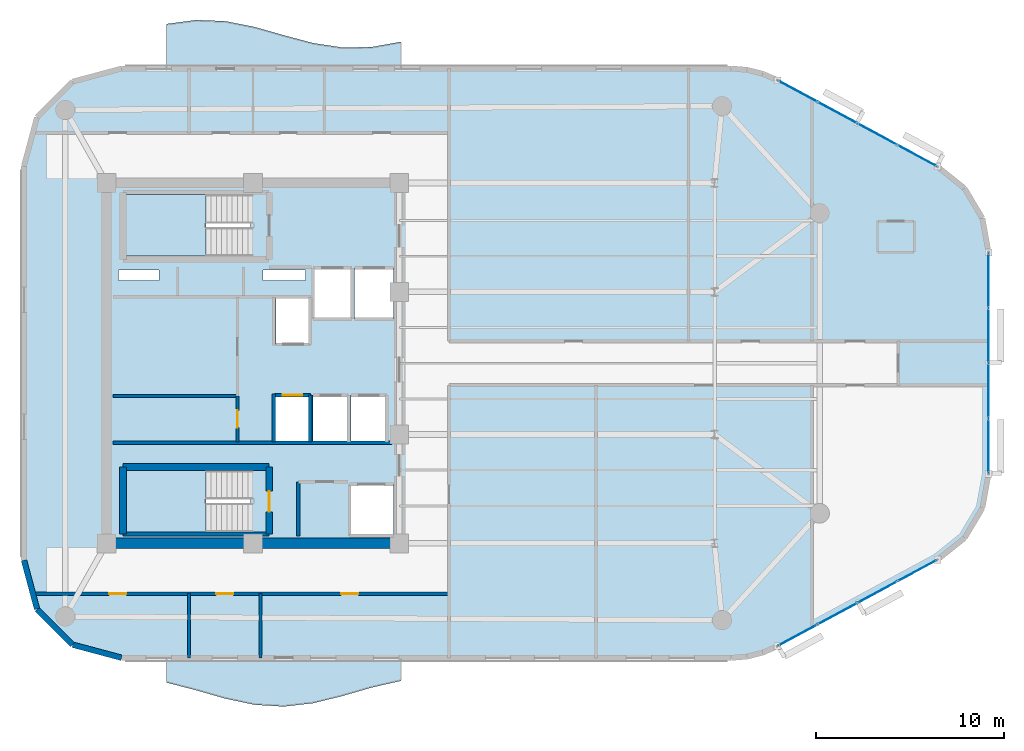
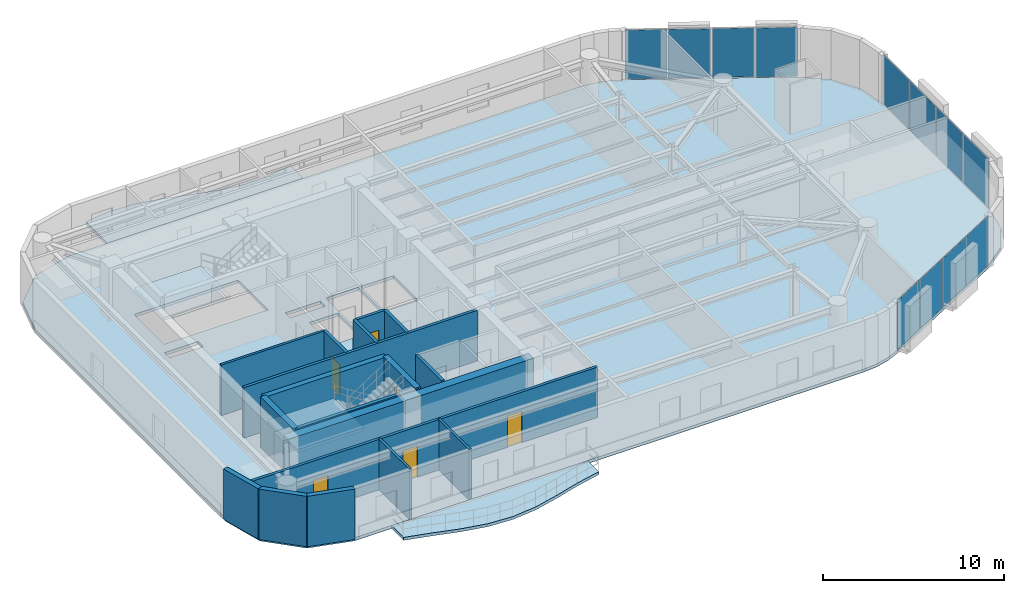
# One storey, part 8 of 13: 18 walls, 12 plates, 6 doors, 5 slabs, 6 openings, 5 elements without a shape of their own.
"""IFC4 building model written with IfcOpenShell, lengths in metres."""

from ifc_helpers import new_model, si_unit, direction, frame, frame_2d, origin, origin_2d, place, context, subcontext, project, spatial, polyline, rectangle, outline, extrude, material, layer, layer_set, type_object, element, fill, aggregate, save


model = new_model("IFC4")

# Units and contexts
model_context = context("Model", 3, precision=1e-05, world=origin(), true_north=direction((0.0, 1.0)))
body_context = subcontext(model_context, "Body", "Model", "MODEL_VIEW")
ifc_project = project(units=[si_unit("LENGTHUNIT", "METRE"), si_unit("AREAUNIT", "SQUARE_METRE"), si_unit("VOLUMEUNIT", "CUBIC_METRE"), si_unit("PLANEANGLEUNIT", "RADIAN"), si_unit("MASSUNIT", "GRAM", prefix="KILO")], contexts=[model_context])

# Site, building, storey
site_placement = place(None, origin())
site = spatial("IfcSite", under=ifc_project, at=site_placement, CompositionType="ELEMENT")
building_placement = place(site_placement, origin())
building = spatial("IfcBuilding", under=site, at=building_placement, Name="An Khanh Terracotta Commons", CompositionType="ELEMENT")
storey_placement = place(building_placement, frame((0.0, 0.0, 204.89990234375)))
storey = spatial("IfcBuildingStorey", under=building, at=storey_placement, Name="L53", CompositionType="ELEMENT", Elevation=204.89990234375)

# Curtain wall, plates
ifc_material_1 = material(Name="Anodised Aluminium 6063-T6", Category="aluminium")
ifc_layer_1 = layer(ifc_material_1, 0.2099609375, Name="Anodised Aluminium 6063-T6")
ifc_layer_set_1 = layer_set([ifc_layer_1], Name="Anodised Aluminium 6063-T6")
curtain_wall_type = type_object("IfcCurtainWallType", Name="CW-SYS-03", PredefinedType="USERDEFINED", material=ifc_layer_set_1)
curtain_wall_1_placement = place(storey_placement, origin())
curtain_wall_1 = element("IfcCurtainWall", 1, at=curtain_wall_1_placement, inside=storey, type_object=curtain_wall_type, Name="L53 CW-03 Unitised Curtain Wall CW-L53-08", ObjectType="UNITISED CURTAIN WALL", PredefinedType="USERDEFINED")
ifc_material_2 = material(Name="Acoustic Laminated Low-E Glazing", Category="glass")
ifc_layer_2 = layer(ifc_material_2, 0.035888671875, Name="Acoustic Laminated Low-E Glazing")
ifc_layer_set_2 = layer_set([ifc_layer_2], Name="Acoustic Laminated Low-E Glazing")
plate_type = type_object("IfcPlateType", Name="CWP-IGU-36", PredefinedType="CURTAIN_PANEL", material=ifc_layer_set_2)
plate_1_placement = place(storey_placement, frame((58.436767578125, 9.508544921875, 0.05029296875), z_axis=(0.0, 0.0, 1.0), x_axis=(0.879780095306, 0.47538088298, 0.0)))
plate_1 = element("IfcPlate", 2, at=plate_1_placement, type_object=plate_type, Name="CW-03 panel 1.1", PredefinedType="CURTAIN_PANEL", context=body_context, shape_type="SweptSolid", body=[
    extrude(rectangle(XDim=2.314697265625, YDim=0.035888671875, at=origin_2d()), origin(), (0.0, 0.0, 1.0), 3.300048828125),
])
plate_2_placement = place(storey_placement, frame((60.550048828125, 10.650390625, 0.05029296875), z_axis=(0.0, 0.0, 1.0), x_axis=(0.879780095306, 0.47538088298, 0.0)))
plate_2 = element("IfcPlate", 3, at=plate_2_placement, type_object=plate_type, Name="CW-03 panel 2.1", PredefinedType="CURTAIN_PANEL", context=body_context, shape_type="SweptSolid", body=[
    extrude(rectangle(XDim=2.349609375, YDim=0.035888671875, at=origin_2d()), origin(), (0.0, 0.0, 1.0), 3.300048828125),
])
plate_3_placement = place(storey_placement, frame((62.678955078125, 11.800537109375, 0.05029296875), z_axis=(0.0, 0.0, 1.0), x_axis=(0.879780095306, 0.47538088298, 0.0)))
plate_3 = element("IfcPlate", 4, at=plate_3_placement, type_object=plate_type, Name="CW-03 panel 3.1", PredefinedType="CURTAIN_PANEL", context=body_context, shape_type="SweptSolid", body=[
    extrude(rectangle(XDim=2.349609375, YDim=0.035888671875, at=origin_2d()), origin(), (0.0, 0.0, 1.0), 3.300048828125),
])
plate_4_placement = place(storey_placement, frame((64.792236328125, 12.942626953125, 0.05029296875), z_axis=(0.0, 0.0, 1.0), x_axis=(0.879780095306, 0.47538088298, 0.0)))
plate_4 = element("IfcPlate", 5, at=plate_4_placement, type_object=plate_type, Name="CW-03 panel 4.1", PredefinedType="CURTAIN_PANEL", context=body_context, shape_type="SweptSolid", body=[
    extrude(rectangle(XDim=2.314697265625, YDim=0.035888671875, at=origin_2d()), origin(), (0.0, 0.0, 1.0), 3.300048828125),
])
aggregate(curtain_wall_1, [plate_1, plate_2, plate_3, plate_4])

curtain_wall_2_placement = place(storey_placement, origin())
curtain_wall_2 = element("IfcCurtainWall", 6, at=curtain_wall_2_placement, inside=storey, type_object=curtain_wall_type, Name="L53 CW-03 Unitised Curtain Wall CW-L53-12", ObjectType="UNITISED CURTAIN WALL", PredefinedType="USERDEFINED")
plate_5_placement = place(storey_placement, frame((68.60009765625, 19.59326171875, 0.05029296875), z_axis=(0.0, 0.0, 1.0), x_axis=(0.0, 1.0, 0.0)))
plate_5 = element("IfcPlate", 7, at=plate_5_placement, type_object=plate_type, Name="CW-03 panel 1.1", PredefinedType="CURTAIN_PANEL", context=body_context, shape_type="SweptSolid", body=[
    extrude(rectangle(XDim=2.844482421875, YDim=0.035888671875, at=origin_2d()), origin(), (0.0, 0.0, 1.0), 3.300048828125),
])
plate_6_placement = place(storey_placement, frame((68.60009765625, 22.525146484375, 0.05029296875), z_axis=(0.0, 0.0, 1.0), x_axis=(0.0, 1.0, 0.0)))
plate_6 = element("IfcPlate", 8, at=plate_6_placement, type_object=plate_type, Name="CW-03 panel 2.1", PredefinedType="CURTAIN_PANEL", context=body_context, shape_type="SweptSolid", body=[
    extrude(rectangle(XDim=2.87939453125, YDim=0.035888671875, at=origin_2d()), origin(), (0.0, 0.0, 1.0), 3.300048828125),
])
plate_7_placement = place(storey_placement, frame((68.60009765625, 25.474853515625, 0.05029296875), z_axis=(0.0, 0.0, 1.0), x_axis=(0.0, 1.0, 0.0)))
plate_7 = element("IfcPlate", 9, at=plate_7_placement, type_object=plate_type, Name="CW-03 panel 3.1", PredefinedType="CURTAIN_PANEL", context=body_context, shape_type="SweptSolid", body=[
    extrude(rectangle(XDim=2.87939453125, YDim=0.035888671875, at=origin_2d()), origin(), (0.0, 0.0, 1.0), 3.300048828125),
])
plate_8_placement = place(storey_placement, frame((68.60009765625, 28.40673828125, 0.05029296875), z_axis=(0.0, 0.0, 1.0), x_axis=(0.0, 1.0, 0.0)))
plate_8 = element("IfcPlate", 10, at=plate_8_placement, type_object=plate_type, Name="CW-03 panel 4.1", PredefinedType="CURTAIN_PANEL", context=body_context, shape_type="SweptSolid", body=[
    extrude(rectangle(XDim=2.844482421875, YDim=0.035888671875, at=origin_2d()), origin(), (0.0, 0.0, 1.0), 3.300048828125),
])
aggregate(curtain_wall_2, [plate_5, plate_6, plate_7, plate_8])

curtain_wall_3_placement = place(storey_placement, origin())
curtain_wall_3 = element("IfcCurtainWall", 11, at=curtain_wall_3_placement, inside=storey, type_object=curtain_wall_type, Name="L53 CW-03 Unitised Curtain Wall CW-L53-16", ObjectType="UNITISED CURTAIN WALL", PredefinedType="USERDEFINED")
plate_9_placement = place(storey_placement, frame((64.792236328125, 35.057373046875, 0.05029296875), z_axis=(0.0, 0.0, 1.0), x_axis=(-0.879780095306, 0.47538088298, 0.0)))
plate_9 = element("IfcPlate", 12, at=plate_9_placement, type_object=plate_type, Name="CW-03 panel 1.1", PredefinedType="CURTAIN_PANEL", context=body_context, shape_type="SweptSolid", body=[
    extrude(rectangle(XDim=2.314697265625, YDim=0.035888671875, at=origin_2d()), origin(), (0.0, 0.0, 1.0), 3.300048828125),
])
plate_10_placement = place(storey_placement, frame((62.678955078125, 36.199462890625, 0.05029296875), z_axis=(0.0, 0.0, 1.0), x_axis=(-0.879780095306, 0.47538088298, 0.0)))
plate_10 = element("IfcPlate", 13, at=plate_10_placement, type_object=plate_type, Name="CW-03 panel 2.1", PredefinedType="CURTAIN_PANEL", context=body_context, shape_type="SweptSolid", body=[
    extrude(rectangle(XDim=2.349609375, YDim=0.035888671875, at=origin_2d()), origin(), (0.0, 0.0, 1.0), 3.300048828125),
])
plate_11_placement = place(storey_placement, frame((60.550048828125, 37.349609375, 0.05029296875), z_axis=(0.0, 0.0, 1.0), x_axis=(-0.879780095306, 0.47538088298, 0.0)))
plate_11 = element("IfcPlate", 14, at=plate_11_placement, type_object=plate_type, Name="CW-03 panel 3.1", PredefinedType="CURTAIN_PANEL", context=body_context, shape_type="SweptSolid", body=[
    extrude(rectangle(XDim=2.349609375, YDim=0.035888671875, at=origin_2d()), origin(), (0.0, 0.0, 1.0), 3.300048828125),
])
plate_12_placement = place(storey_placement, frame((58.436767578125, 38.491455078125, 0.05029296875), z_axis=(0.0, 0.0, 1.0), x_axis=(-0.879780095306, 0.47538088298, 0.0)))
plate_12 = element("IfcPlate", 15, at=plate_12_placement, type_object=plate_type, Name="CW-03 panel 4.1", PredefinedType="CURTAIN_PANEL", context=body_context, shape_type="SweptSolid", body=[
    extrude(rectangle(XDim=2.314697265625, YDim=0.035888671875, at=origin_2d()), origin(), (0.0, 0.0, 1.0), 3.300048828125),
])
aggregate(curtain_wall_3, [plate_9, plate_10, plate_11, plate_12])

# Slabs
ifc_material_3 = material(Name="Concrete C40/50", Category="concrete")
ifc_layer_3 = layer(ifc_material_3, 0.199951171875, Name="Concrete C40/50")
ifc_layer_set_3 = layer_set([ifc_layer_3], Name="Concrete C40/50")
slab_type_1 = type_object("IfcSlabType", Name="SLAB-BALC-200", PredefinedType="FLOOR", material=ifc_layer_set_3)
slab_1_placement = place(storey_placement, frame((0.0, 0.0, -0.199951171875)))
element("IfcSlab", 16, at=slab_1_placement, inside=storey, type_object=slab_type_1, Name="L53 S Sinusoidal Wave Balcony Slab", PredefinedType="FLOOR", context=body_context, shape_type="SweptSolid", body=[
    extrude(outline(polyline([(24.800048828125, 8.300048828125), (24.800048828125, 6.97998046875), (26.363037109375, 6.577880859375), (27.925048828125, 6.12890625), (29.488037109375, 5.797119140625), (31.050048828125, 5.7041015625), (32.612060546875, 5.882080078125), (34.175048828125, 6.26806640625), (35.737060546875, 6.719970703125), (37.300048828125, 7.073974609375), (37.300048828125, 8.300048828125), (24.800048828125, 8.300048828125)])), origin(), (0.0, 0.0, 1.0), 0.199951171875),
])
slab_2_placement = place(storey_placement, frame((0.0, 0.0, -0.199951171875)))
element("IfcSlab", 17, at=slab_2_placement, inside=storey, type_object=slab_type_1, Name="L53 N Sinusoidal Wave Balcony Slab", PredefinedType="FLOOR", context=body_context, shape_type="SweptSolid", body=[
    extrude(outline(polyline([(37.300048828125, 39.699951171875), (37.300048828125, 41.133056640625), (35.737060546875, 40.85009765625), (34.175048828125, 40.822021484375), (32.612060546875, 41.06005859375), (31.050048828125, 41.47607421875), (29.488037109375, 41.919921875), (27.925048828125, 42.22802734375), (26.363037109375, 42.2890625), (24.800048828125, 42.080078125), (24.800048828125, 39.699951171875), (37.300048828125, 39.699951171875)])), origin(), (0.0, 0.0, 1.0), 0.199951171875),
])

# Stair, slab
ifc_material_4 = material(Name="Precast concrete C40/50", Category="concrete")
stair_type = type_object("IfcStairType", Name="STAIR-CORE-1550", PredefinedType="HALF_TURN_STAIR", material=ifc_material_4)
stair_1_placement = place(storey_placement, origin())
stair_1 = element("IfcStair", 18, at=stair_1_placement, inside=storey, type_object=stair_type, Name="L53 Core Smokeproof Exit Stair ST-01", PredefinedType="HALF_TURN_STAIR")
ifc_layer_4 = layer(ifc_material_3, 0.18994140625, Name="Concrete C40/50")
ifc_layer_set_4 = layer_set([ifc_layer_4], Name="Concrete C40/50")
slab_type_2 = type_object("IfcSlabType", Name="SLAB-LANDING-190", PredefinedType="LANDING", material=ifc_layer_set_4)
slab_3_placement = place(storey_placement, frame((0.0, 0.0, 1.60009765625)))
slab_3 = element("IfcSlab", 19, at=slab_3_placement, type_object=slab_type_2, Name="ST-01 landing 1", PredefinedType="LANDING", context=body_context, shape_type="SweptSolid", body=[
    extrude(outline(polyline([(26.889892578125, 33.0), (22.64990234375, 33.0), (22.64990234375, 29.699951171875), (26.889892578125, 29.699951171875), (26.889892578125, 33.0)])), origin(), (0.0, 0.0, 1.0), 0.199951171875),
])
aggregate(stair_1, [slab_3])

stair_2_placement = place(storey_placement, origin())
stair_2 = element("IfcStair", 20, at=stair_2_placement, inside=storey, type_object=stair_type, Name="L53 Core Smokeproof Exit Stair ST-02", PredefinedType="HALF_TURN_STAIR")
slab_4_placement = place(storey_placement, frame((0.0, 0.0, 1.60009765625)))
slab_4 = element("IfcSlab", 21, at=slab_4_placement, type_object=slab_type_2, Name="ST-02 landing 1", PredefinedType="LANDING", context=body_context, shape_type="SweptSolid", body=[
    extrude(outline(polyline([(26.889892578125, 18.300048828125), (22.64990234375, 18.300048828125), (22.64990234375, 15.0), (26.889892578125, 15.0), (26.889892578125, 18.300048828125)])), origin(), (0.0, 0.0, 1.0), 0.199951171875),
])
aggregate(stair_2, [slab_4])

# Slab
ifc_layer_5 = layer(ifc_material_3, 0.199951171875, Name="Concrete C40/50")
ifc_layer_set_5 = layer_set([ifc_layer_5], Name="Concrete C40/50")
slab_type_3 = type_object("IfcSlabType", Name="SLAB-TYP-200", PredefinedType="FLOOR", material=ifc_layer_set_5)
slab_5_placement = place(storey_placement, frame((0.0, 0.0, -0.199951171875)))
element("IfcSlab", 22, at=slab_5_placement, inside=storey, type_object=slab_type_3, Name="L53 Structural Floor Slab", PredefinedType="FLOOR", context=body_context, shape_type="SweptSolid", body=[
    extrude(outline(polyline([(17.199951171875, 13.5), (17.89697265625, 10.89990234375), (19.800048828125, 8.9970703125), (22.39990234375, 8.300048828125), (54.885009765625, 8.300048828125), (55.739990234375, 8.37109375), (56.571044921875, 8.5810546875), (57.35693359375, 8.925048828125), (65.8720703125, 13.52587890625), (67.320068359375, 14.68408203125), (68.26904296875, 16.27587890625), (68.60009765625, 18.10107421875), (68.60009765625, 29.89892578125), (68.26904296875, 31.72412109375), (67.320068359375, 33.31591796875), (65.8720703125, 34.47412109375), (57.35693359375, 39.074951171875), (56.571044921875, 39.4189453125), (55.739990234375, 39.62890625), (54.885009765625, 39.699951171875), (22.39990234375, 39.699951171875), (19.800048828125, 39.0029296875), (17.89697265625, 37.10009765625), (17.199951171875, 34.5), (17.199951171875, 13.5)]), holes=[polyline([(22.64990234375, 29.699951171875), (29.27001953125, 29.699951171875), (29.27001953125, 33.0), (22.64990234375, 33.0), (22.64990234375, 29.699951171875)]), polyline([(22.64990234375, 15.0), (29.27001953125, 15.0), (29.27001953125, 18.300048828125), (22.64990234375, 18.300048828125), (22.64990234375, 15.0)]), polyline([(32.60009765625, 26.35009765625), (34.679931640625, 26.35009765625), (34.679931640625, 29.080078125), (32.60009765625, 29.080078125), (32.60009765625, 26.35009765625)]), polyline([(34.820068359375, 26.35009765625), (36.89990234375, 26.35009765625), (36.89990234375, 29.080078125), (34.820068359375, 29.080078125), (34.820068359375, 26.35009765625)]), polyline([(34.550048828125, 14.800048828125), (36.89990234375, 14.800048828125), (36.89990234375, 17.550048828125), (34.550048828125, 17.550048828125), (34.550048828125, 14.800048828125)]), polyline([(30.639892578125, 25.0), (32.4599609375, 25.0), (32.4599609375, 27.5), (30.639892578125, 27.5), (30.639892578125, 25.0)]), polyline([(30.56005859375, 19.800048828125), (32.4599609375, 19.800048828125), (32.4599609375, 22.300048828125), (30.56005859375, 22.300048828125), (30.56005859375, 19.800048828125)]), polyline([(32.60009765625, 19.800048828125), (34.5, 19.800048828125), (34.5, 22.300048828125), (32.60009765625, 22.300048828125), (32.60009765625, 19.800048828125)]), polyline([(34.639892578125, 19.800048828125), (36.5400390625, 19.800048828125), (36.5400390625, 22.300048828125), (34.639892578125, 22.300048828125), (34.639892578125, 19.800048828125)]), polyline([(22.25, 28.419921875), (24.39990234375, 28.419921875), (24.39990234375, 28.97998046875), (22.25, 28.97998046875), (22.25, 28.419921875)]), polyline([(29.949951171875, 28.419921875), (32.199951171875, 28.419921875), (32.199951171875, 28.97998046875), (29.949951171875, 28.97998046875), (29.949951171875, 28.419921875)])]), origin(), (0.0, 0.0, 1.0), 0.199951171875),
])

# Walls
ifc_material_5 = material(Name="Concrete C50/60", Category="concrete")
ifc_layer_6 = layer(ifc_material_5, 0.550048828125, Name="Concrete C50/60")
ifc_layer_set_6 = layer_set([ifc_layer_6], Name="Concrete C50/60")
wall_type_1 = type_object("IfcWallType", Name="WALL-CORE-550", PredefinedType="SHEAR", material=ifc_layer_set_6)
wall_1_placement = place(storey_placement, frame((37.199951171875, 14.39990234375, 0.0), z_axis=(0.0, 0.0, 1.0), x_axis=(-1.0, 0.0, 0.0)))
element("IfcWall", 23, at=wall_1_placement, inside=storey, type_object=wall_type_1, Name="L53 Core Wall CWALL-L53-S", PredefinedType="SHEAR", context=body_context, shape_type="SweptSolid", body=[
    extrude(rectangle(XDim=15.599853515625, YDim=0.550048828125, at=frame_2d((7.7998046875, 0.0))), origin(), (0.0, 0.0, 1.0), 3.400146484375),
])
ifc_material_6 = material(Name="Fire-Rated Gypsum Board on Steel Stud", Category="steel")
ifc_layer_7 = layer(ifc_material_6, 0.179931640625, Name="Fire-Rated Gypsum Board on Steel Stud")
ifc_layer_set_7 = layer_set([ifc_layer_7], Name="Fire-Rated Gypsum Board on Steel Stud")
wall_type_2 = type_object("IfcWallType", Name="WALL-CORR-180", PredefinedType="PARTITIONING", material=ifc_layer_set_7)
wall_2_placement = place(storey_placement, frame((21.949951171875, 19.760009765625, 0.0), z_axis=(0.0, 0.0, 1.0), x_axis=(1.0, 0.0, 0.0)))
element("IfcWall", 24, at=wall_2_placement, inside=storey, type_object=wall_type_2, Name="L53 Core Wall SVW-L53-N", PredefinedType="PARTITIONING", context=body_context, shape_type="SweptSolid", body=[
    extrude(rectangle(XDim=14.8701171875, YDim=0.179931640625, at=frame_2d((7.43505859375, 0.0))), origin(), (0.0, 0.0, 1.0), 3.400146484375),
])
wall_3_placement = place(storey_placement, frame((31.820068359375, 14.800048828125, 0.0), z_axis=(0.0, 0.0, 1.0), x_axis=(0.0, 1.0, 0.0)))
element("IfcWall", 25, at=wall_3_placement, inside=storey, type_object=wall_type_2, Name="L53 Core Wall SSVCW-L53-W", PredefinedType="PARTITIONING", context=body_context, shape_type="SweptSolid", body=[
    extrude(rectangle(XDim=2.8798828125, YDim=0.179931640625, at=frame_2d((1.43994140625, 0.0))), origin(), (0.0, 0.0, 1.0), 3.400146484375),
])

# Wall, opening, door
wall_4_placement = place(storey_placement, frame((30.56005859375, 22.300048828125, 0.0), z_axis=(0.0, 0.0, 1.0), x_axis=(1.0, 0.0, 0.0)))
wall_4 = element("IfcWall", 26, at=wall_4_placement, inside=storey, type_object=wall_type_2, Name="L53 Core Wall LSH-L53-PL-H2-N", PredefinedType="PARTITIONING", context=body_context, shape_type="SweptSolid", body=[
    extrude(rectangle(XDim=1.89990234375, YDim=0.179931640625, at=frame_2d((0.949951171875, 0.0))), origin(), (0.0, 0.0, 1.0), 3.400146484375),
])
opening_1_placement = place(wall_4_placement, frame((0.425048828125, 0.0, 0.0)))
opening_1 = element("IfcOpeningElement", 27, at=opening_1_placement, cuts=wall_4, Name="Opening LD-PL-H2-L53", PredefinedType="OPENING", context=body_context, shape_type="SweptSolid", body=[
    extrude(rectangle(XDim=1.050048828125, YDim=2.199951171875, at=frame_2d((0.52490234375, 1.10009765625))), frame((0.0, 0.099853515625, 0.0), z_axis=(0.0, -1.0, 0.0), x_axis=(1.0, 0.0, 0.0)), (0.0, 0.0, 1.0), 0.199951171875),
])
ifc_material_7 = material(Name="Brushed Stainless Steel High-Rise Landing Door", Category="steel")
door_type_1 = type_object("IfcDoorType", Name="DOOR-LD-PAXH-1050", OperationType="NOTDEFINED", PredefinedType="DOOR", material=ifc_material_7)
door_1_placement = place(opening_1_placement, origin())
door_1 = element("IfcDoor", 28, at=door_1_placement, inside=storey, type_object=door_type_1, Name="L53 Lift PL-H2 Sliding Landing Door", OperationType="DOUBLE_DOOR_SLIDING", OverallHeight=2.199951171875, OverallWidth=1.050048828125, PredefinedType="DOOR", context=body_context, shape_type="SweptSolid", body=[
    extrude(rectangle(XDim=1.050048828125, YDim=2.199951171875, at=frame_2d((0.52490234375, 1.10009765625))), frame((0.0, 0.02490234375, 0.0), z_axis=(0.0, -1.0, 0.0), x_axis=(1.0, 0.0, 0.0)), (0.0, 0.0, 1.0), 0.050048828125),
])
fill(opening_1, door_1)

# Walls
wall_5_placement = place(storey_placement, frame((32.4599609375, 19.800048828125, 0.0), z_axis=(0.0, 0.0, 1.0), x_axis=(0.0, 1.0, 0.0)))
element("IfcWall", 29, at=wall_5_placement, inside=storey, type_object=wall_type_2, Name="L53 Core Wall LSH-L53-PL-H2-E", PredefinedType="PARTITIONING", context=body_context, shape_type="SweptSolid", body=[
    extrude(rectangle(XDim=2.5, YDim=0.179931640625, at=frame_2d((1.25, 0.0))), origin(), (0.0, 0.0, 1.0), 3.400146484375),
])
wall_6_placement = place(storey_placement, frame((30.52001953125, 19.800048828125, 0.0), z_axis=(0.0, 0.0, 1.0), x_axis=(0.0, 1.0, 0.0)))
element("IfcWall", 30, at=wall_6_placement, inside=storey, type_object=wall_type_2, Name="L53 Core Wall RECW-L53-BE2", PredefinedType="PARTITIONING", context=body_context, shape_type="SweptSolid", body=[
    extrude(rectangle(XDim=2.550048828125, YDim=0.179931640625, at=frame_2d((1.27490234375, 0.0))), origin(), (0.0, 0.0, 1.0), 3.400146484375),
])

# Wall, opening, door
wall_7_placement = place(storey_placement, frame((28.580078125, 19.800048828125, 0.0), z_axis=(0.0, 0.0, 1.0), x_axis=(0.0, 1.0, 0.0)))
wall_7 = element("IfcWall", 31, at=wall_7_placement, inside=storey, type_object=wall_type_2, Name="L53 Core Wall RECW-L53-E2", PredefinedType="PARTITIONING", context=body_context, shape_type="SweptSolid", body=[
    extrude(rectangle(XDim=2.449951171875, YDim=0.179931640625, at=frame_2d((1.22509765625, 0.0))), origin(), (0.0, 0.0, 1.0), 3.400146484375),
])
opening_2_placement = place(wall_7_placement, frame((0.764892578125, 0.0, 0.0)))
opening_2 = element("IfcOpeningElement", 32, at=opening_2_placement, cuts=wall_7, Name="Opening D-RM", PredefinedType="OPENING", context=body_context, shape_type="SweptSolid", body=[
    extrude(rectangle(XDim=0.919921875, YDim=2.10009765625, at=frame_2d((0.4599609375, 1.050048828125))), frame((0.0, 0.099853515625, 0.0), z_axis=(0.0, -1.0, 0.0), x_axis=(1.0, 0.0, 0.0)), (0.0, 0.0, 1.0), 0.199951171875),
])
ifc_material_8 = material(Name="Engineered Hardwood Timber Leaf", Category="wood")
door_type_2 = type_object("IfcDoorType", Name="DOOR-INT-920", OperationType="NOTDEFINED", PredefinedType="DOOR", material=ifc_material_8)
door_2_placement = place(opening_2_placement, origin())
door_2 = element("IfcDoor", 33, at=door_2_placement, inside=storey, type_object=door_type_2, Name="L53 Floor Pantry and Ice Room Door", OperationType="SINGLE_SWING_LEFT", OverallHeight=2.10009765625, OverallWidth=0.919921875, PredefinedType="DOOR", context=body_context, shape_type="SweptSolid", body=[
    extrude(rectangle(XDim=0.919921875, YDim=2.10009765625, at=frame_2d((0.4599609375, 1.050048828125))), frame((0.0, 0.02490234375, 0.0), z_axis=(0.0, -1.0, 0.0), x_axis=(1.0, 0.0, 0.0)), (0.0, 0.0, 1.0), 0.050048828125),
])
fill(opening_2, door_2)

# Wall, openings, doors
wall_8_placement = place(storey_placement, frame((17.677001953125, 11.719970703125, 0.0), z_axis=(0.0, 0.0, 1.0), x_axis=(1.0, 0.0, 0.0)))
wall_8 = element("IfcWall", 34, at=wall_8_placement, inside=storey, type_object=wall_type_2, Name="L53 Interior Partition IW-L53-E001", PredefinedType="PARTITIONING", context=body_context, shape_type="SweptSolid", body=[
    extrude(rectangle(XDim=22.173095703125, YDim=0.179931640625, at=frame_2d((11.08642578125, 0.0))), origin(), (0.0, 0.0, 1.0), 3.400146484375),
])
opening_3_placement = place(wall_8_placement, frame((9.762939453125, 0.0, 0.0)))
opening_3 = element("IfcOpeningElement", 35, at=opening_3_placement, cuts=wall_8, Name="Opening D-RM", PredefinedType="OPENING", context=body_context, shape_type="SweptSolid", body=[
    extrude(rectangle(XDim=0.919921875, YDim=2.10009765625, at=frame_2d((0.4599609375, 1.050048828125))), frame((0.0, 0.099853515625, 0.0), z_axis=(0.0, -1.0, 0.0), x_axis=(1.0, 0.0, 0.0)), (0.0, 0.0, 1.0), 0.199951171875),
])
opening_4_placement = place(wall_8_placement, frame((4.06298828125, 0.0, 0.0)))
opening_4 = element("IfcOpeningElement", 36, at=opening_4_placement, cuts=wall_8, Name="Opening D-RM", PredefinedType="OPENING", context=body_context, shape_type="SweptSolid", body=[
    extrude(rectangle(XDim=0.919921875, YDim=2.10009765625, at=frame_2d((0.4599609375, 1.050048828125))), frame((0.0, 0.099853515625, 0.0), z_axis=(0.0, -1.0, 0.0), x_axis=(1.0, 0.0, 0.0)), (0.0, 0.0, 1.0), 0.199951171875),
])
opening_5_placement = place(wall_8_placement, frame((16.427978515625, 0.0, 0.0)))
opening_5 = element("IfcOpeningElement", 37, at=opening_5_placement, cuts=wall_8, Name="Opening D-RM", PredefinedType="OPENING", context=body_context, shape_type="SweptSolid", body=[
    extrude(rectangle(XDim=0.919921875, YDim=2.10009765625, at=frame_2d((0.4599609375, 1.050048828125))), frame((0.0, 0.099853515625, 0.0), z_axis=(0.0, -1.0, 0.0), x_axis=(1.0, 0.0, 0.0)), (0.0, 0.0, 1.0), 0.199951171875),
])
door_3_placement = place(opening_3_placement, origin())
door_3 = element("IfcDoor", 38, at=door_3_placement, inside=storey, type_object=door_type_2, Name="L53 HKP Housekeeping Linen Store Door", OperationType="SINGLE_SWING_LEFT", OverallHeight=2.10009765625, OverallWidth=0.919921875, PredefinedType="DOOR", context=body_context, shape_type="SweptSolid", body=[
    extrude(rectangle(XDim=0.919921875, YDim=2.10009765625, at=frame_2d((0.4599609375, 1.050048828125))), frame((0.0, 0.02490234375, 0.0), z_axis=(0.0, -1.0, 0.0), x_axis=(1.0, 0.0, 0.0)), (0.0, 0.0, 1.0), 0.050048828125),
])
fill(opening_3, door_3)
door_4_placement = place(opening_4_placement, origin())
door_4 = element("IfcDoor", 39, at=door_4_placement, inside=storey, type_object=door_type_2, Name="L53 SW1 Communal Kitchen and Dining Door", OperationType="SINGLE_SWING_LEFT", OverallHeight=2.10009765625, OverallWidth=0.919921875, PredefinedType="DOOR", context=body_context, shape_type="SweptSolid", body=[
    extrude(rectangle(XDim=0.919921875, YDim=2.10009765625, at=frame_2d((0.4599609375, 1.050048828125))), frame((0.0, 0.02490234375, 0.0), z_axis=(0.0, -1.0, 0.0), x_axis=(1.0, 0.0, 0.0)), (0.0, 0.0, 1.0), 0.050048828125),
])
fill(opening_4, door_4)
door_5_placement = place(opening_5_placement, origin())
door_5 = element("IfcDoor", 40, at=door_5_placement, inside=storey, type_object=door_type_2, Name="L53 SWE Communal Kitchen and Dining Door", OperationType="SINGLE_SWING_RIGHT", OverallHeight=2.10009765625, OverallWidth=0.919921875, PredefinedType="DOOR", context=body_context, shape_type="SweptSolid", body=[
    extrude(rectangle(XDim=0.919921875, YDim=2.10009765625, at=frame_2d((0.4599609375, 1.050048828125))), frame((0.0, 0.02490234375, 0.0), z_axis=(0.0, -1.0, 0.0), x_axis=(1.0, 0.0, 0.0)), (0.0, 0.0, 1.0), 0.050048828125),
])
fill(opening_5, door_5)

# Walls
ifc_layer_8 = layer(ifc_material_4, 0.300048828125, Name="Precast concrete C40/50")
ifc_layer_set_8 = layer_set([ifc_layer_8], Name="Precast concrete C40/50")
wall_type_3 = type_object("IfcWallType", Name="WALL-EXT-300", PredefinedType="SOLIDWALL", material=ifc_layer_set_8)
wall_9_placement = place(storey_placement, frame((17.199951171875, 13.5, 0.0), z_axis=(0.0, 0.0, 1.0), x_axis=(0.258932525951, -0.965895412042, 0.0)))
element("IfcWall", 41, at=wall_9_placement, inside=storey, type_object=wall_type_3, Name="L53 Insulated Terracotta Exterior Wall 1", PredefinedType="SOLIDWALL", context=body_context, shape_type="SweptSolid", body=[
    extrude(rectangle(XDim=2.69189453125, YDim=0.300048828125, at=frame_2d((1.345947265625, 0.0))), origin(), (0.0, 0.0, 1.0), 3.400146484375),
])
wall_10_placement = place(storey_placement, frame((17.89697265625, 10.89990234375, 0.0), z_axis=(0.0, 0.0, 1.0), x_axis=(0.707152139074, -0.70706142039, 0.0)))
element("IfcWall", 42, at=wall_10_placement, inside=storey, type_object=wall_type_3, Name="L53 Insulated Terracotta Exterior Wall 2", PredefinedType="SOLIDWALL", context=body_context, shape_type="SweptSolid", body=[
    extrude(rectangle(XDim=2.691162109375, YDim=0.300048828125, at=frame_2d((1.345703125, 0.0))), origin(), (0.0, 0.0, 1.0), 3.400146484375),
])
wall_11_placement = place(storey_placement, frame((19.800048828125, 8.9970703125, 0.0), z_axis=(0.0, 0.0, 1.0), x_axis=(0.965889330541, -0.258955210695, 0.0)))
element("IfcWall", 43, at=wall_11_placement, inside=storey, type_object=wall_type_3, Name="L53 Insulated Terracotta Exterior Wall 3", PredefinedType="SOLIDWALL", context=body_context, shape_type="SweptSolid", body=[
    extrude(rectangle(XDim=2.691650390625, YDim=0.300048828125, at=frame_2d((1.345703125, 0.0))), origin(), (0.0, 0.0, 1.0), 3.400146484375),
])
ifc_material_9 = material(Name="Acoustic Gypsum Board Partition")
ifc_layer_9 = layer(ifc_material_9, 0.14990234375, Name="Acoustic Gypsum Board Partition")
ifc_layer_set_9 = layer_set([ifc_layer_9], Name="Acoustic Gypsum Board Partition")
wall_type_4 = type_object("IfcWallType", Name="WALL-PART-150", PredefinedType="PARTITIONING", material=ifc_layer_set_9)
wall_12_placement = place(storey_placement, frame((21.949951171875, 22.25, 0.0), z_axis=(0.0, 0.0, 1.0), x_axis=(1.0, 0.0, 0.0)))
element("IfcWall", 44, at=wall_12_placement, inside=storey, type_object=wall_type_4, Name="L53 Core Wall RECW-L53-M", PredefinedType="PARTITIONING", context=body_context, shape_type="SweptSolid", body=[
    extrude(rectangle(XDim=6.630126953125, YDim=0.14990234375, at=frame_2d((3.31494140625, 0.0))), origin(), (0.0, 0.0, 1.0), 3.400146484375),
])
for number, where, z_axis, x_axis, name in (
    (45, (26.0, 8.300048828125, 0.0), (0.0, 0.0, 1.0), (0.0, 1.0, 0.0), "L53 Interior Partition IW-L53-E005"),
    (46, (29.800048828125, 8.300048828125, 0.0), (0.0, 0.0, 1.0), (0.0, 1.0, 0.0), "L53 Interior Partition IW-L53-E008"),
):
    element("IfcWall", number, at=place(storey_placement, frame(where, z_axis=z_axis, x_axis=x_axis)), inside=storey, type_object=wall_type_4, Name=name, PredefinedType="PARTITIONING", context=body_context, shape_type="SweptSolid", body=[
        extrude(rectangle(XDim=3.419921875, YDim=0.14990234375, at=frame_2d((1.7099609375, 0.0))), origin(), (0.0, 0.0, 1.0), 3.400146484375),
    ])
ifc_material_10 = material(Name="Acoustic Double-Stud Gypsum and Mineral Wool")
ifc_layer_10 = layer(ifc_material_10, 0.219970703125, Name="Acoustic Double-Stud Gypsum and Mineral Wool")
ifc_layer_set_10 = layer_set([ifc_layer_10], Name="Acoustic Double-Stud Gypsum and Mineral Wool")
wall_type_5 = type_object("IfcWallType", Name="WALL-PARTY-220", PredefinedType="PARTITIONING", material=ifc_layer_set_10)
wall_13_placement = place(storey_placement, frame((22.47998046875, 14.889892578125, 0.0), z_axis=(0.0, 0.0, 1.0), x_axis=(1.0, 0.0, 0.0)))
element("IfcWall", 47, at=wall_13_placement, inside=storey, type_object=wall_type_5, Name="L53 Core Wall STW-L53-S-S", PredefinedType="PARTITIONING", context=body_context, shape_type="SweptSolid", body=[
    extrude(rectangle(XDim=7.7900390625, YDim=0.219970703125, at=frame_2d((3.89501953125, 0.0))), origin(), (0.0, 0.0, 1.0), 3.400146484375),
])
ifc_layer_11 = layer(ifc_material_5, 0.35009765625, Name="Concrete C50/60")
ifc_layer_set_11 = layer_set([ifc_layer_11], Name="Concrete C50/60")
wall_type_6 = type_object("IfcWallType", Name="WALL-SHAFT-350", PredefinedType="SOLIDWALL", material=ifc_layer_set_11)
wall_14_placement = place(storey_placement, frame((22.47998046875, 18.469970703125, 0.0), z_axis=(0.0, 0.0, 1.0), x_axis=(1.0, 0.0, 0.0)))
element("IfcWall", 48, at=wall_14_placement, inside=storey, type_object=wall_type_6, Name="L53 Core Wall STW-L53-S-N", PredefinedType="SOLIDWALL", context=body_context, shape_type="SweptSolid", body=[
    extrude(rectangle(XDim=7.7900390625, YDim=0.35009765625, at=frame_2d((3.89501953125, 0.0))), origin(), (0.0, 0.0, 1.0), 3.400146484375),
])
wall_15_placement = place(storey_placement, frame((22.47998046875, 14.889892578125, 0.0), z_axis=(0.0, 0.0, 1.0), x_axis=(0.0, 1.0, 0.0)))
element("IfcWall", 49, at=wall_15_placement, inside=storey, type_object=wall_type_6, Name="L53 Core Wall STW-L53-S-W", PredefinedType="SOLIDWALL", context=body_context, shape_type="SweptSolid", body=[
    extrude(rectangle(XDim=3.580078125, YDim=0.35009765625, at=frame_2d((1.7900390625, 0.0))), origin(), (0.0, 0.0, 1.0), 3.400146484375),
])

# Wall, opening, door
wall_16_placement = place(storey_placement, frame((30.27001953125, 14.889892578125, 0.0), z_axis=(0.0, 0.0, 1.0), x_axis=(0.0, 1.0, 0.0)))
wall_16 = element("IfcWall", 50, at=wall_16_placement, inside=storey, type_object=wall_type_6, Name="L53 Core Wall STW-L53-S-E", PredefinedType="SOLIDWALL", context=body_context, shape_type="SweptSolid", body=[
    extrude(rectangle(XDim=3.580078125, YDim=0.35009765625, at=frame_2d((1.7900390625, 0.0))), origin(), (0.0, 0.0, 1.0), 3.400146484375),
])
opening_6_placement = place(wall_16_placement, frame((1.18994140625, 0.0, 0.0)))
opening_6 = element("IfcOpeningElement", 51, at=opening_6_placement, cuts=wall_16, Name="Opening D-ST", PredefinedType="OPENING", context=body_context, shape_type="SweptSolid", body=[
    extrude(rectangle(XDim=1.10009765625, YDim=2.14990234375, at=frame_2d((0.550048828125, 1.074951171875))), frame((0.0, 0.18505859375, 0.0), z_axis=(0.0, -1.0, 0.0), x_axis=(1.0, 0.0, 0.0)), (0.0, 0.0, 1.0), 0.3701171875),
])
ifc_material_11 = material(Name="Fire-Rated Steel Leaf and Frame", Category="steel")
door_type_3 = type_object("IfcDoorType", Name="DOOR-STAIR-1100", OperationType="NOTDEFINED", PredefinedType="DOOR", material=ifc_material_11)
door_6_placement = place(opening_6_placement, origin())
door_6 = element("IfcDoor", 52, at=door_6_placement, inside=storey, type_object=door_type_3, Name="L53 Stair ST-02 Fire Door", OperationType="SINGLE_SWING_RIGHT", OverallHeight=2.14990234375, OverallWidth=1.10009765625, PredefinedType="DOOR", context=body_context, shape_type="SweptSolid", body=[
    extrude(rectangle(XDim=1.10009765625, YDim=2.14990234375, at=frame_2d((0.550048828125, 1.074951171875))), frame((0.0, 0.02490234375, 0.0), z_axis=(0.0, -1.0, 0.0), x_axis=(1.0, 0.0, 0.0)), (0.0, 0.0, 1.0), 0.050048828125),
])
fill(opening_6, door_6)

save(model, "model.ifc")
